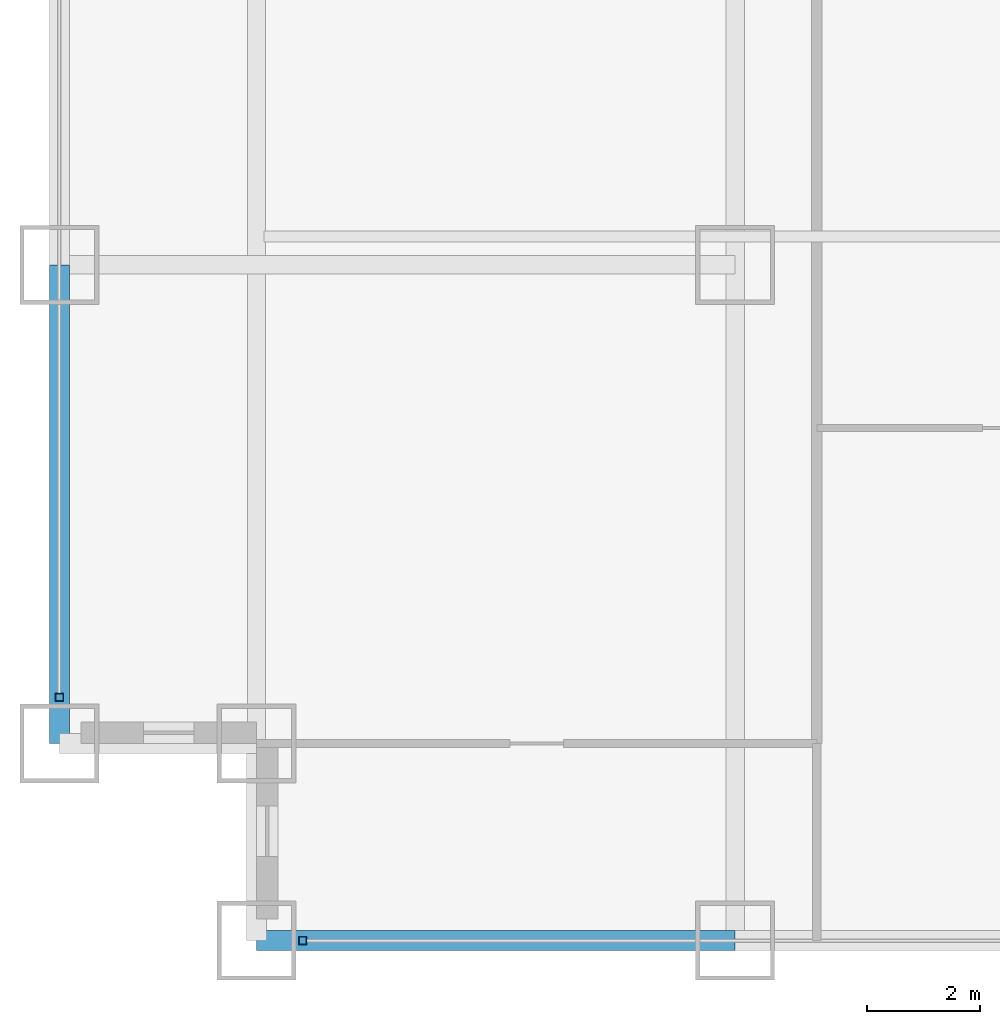
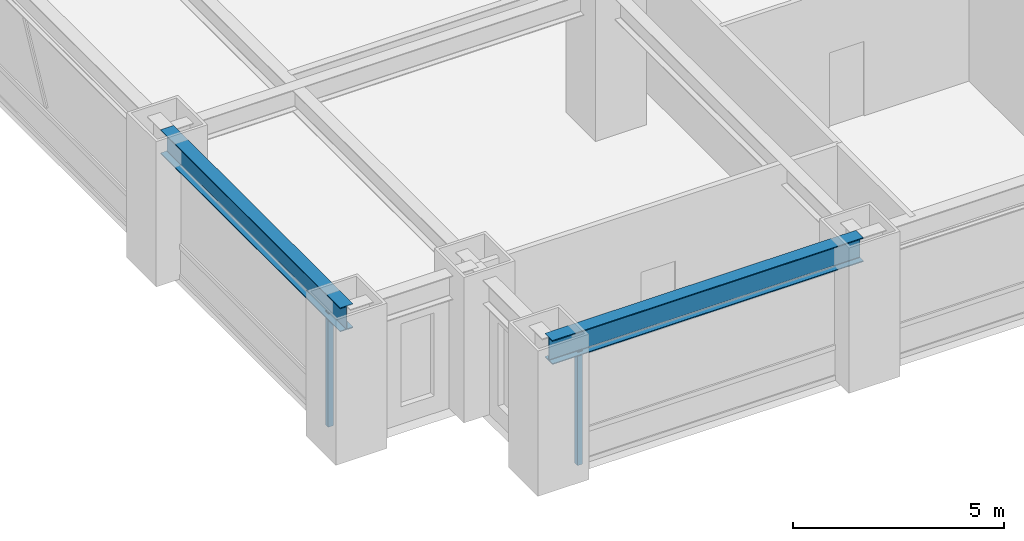
# One storey, part 2 of 28: 2 beams, 2 members, 2 elements without a shape of their own.
"""IFC4 building model written with IfcOpenShell, lengths in metres."""

from ifc_helpers import new_model, si_unit, direction, frame, origin, origin_2d, place, context, subcontext, project, spatial, hollow_rectangle, i_section, extrude, source, transform, mapped, material, material_profile, profile_set, type_object, element, aggregate, save


model = new_model("IFC4")

# Units and contexts
model_context = context("Model", 3, precision=1e-05, world=origin(), true_north=direction((0.0, 1.0)))
body_context = subcontext(model_context, "Body", "Model", "MODEL_VIEW")
ifc_project = project(units=[si_unit("LENGTHUNIT", "METRE"), si_unit("AREAUNIT", "SQUARE_METRE"), si_unit("VOLUMEUNIT", "CUBIC_METRE"), si_unit("PLANEANGLEUNIT", "RADIAN"), si_unit("MASSUNIT", "GRAM", prefix="KILO")], contexts=[model_context])

# Site, building, storey
site_placement = place(None, origin())
site = spatial("IfcSite", under=ifc_project, at=site_placement, CompositionType="ELEMENT")
building_placement = place(site_placement, origin())
building = spatial("IfcBuilding", under=site, at=building_placement, Name="Khorayat Bourse Tower", CompositionType="ELEMENT")
storey_placement = place(building_placement, frame((0.0, 0.0, 83.0)))
storey = spatial("IfcBuildingStorey", under=building, at=storey_placement, Name="L18", CompositionType="ELEMENT", Elevation=83.0)

# Beams
ifc_material_1 = material(Name="Steel ASTM A992 Grade 50", Category="steel")
ifc_material_profile_1 = material_profile(ifc_material_1, i_section(OverallWidth=0.35498046875, OverallDepth=0.695068359375, WebThickness=0.015380859375, FlangeThickness=0.02490234375, FilletRadius=0.01806640625, at=origin_2d()), Name="W690X217")
ifc_profile_set_1 = profile_set([ifc_material_profile_1], Name="Steel ASTM A992 Grade 50")
beam_type = type_object("IfcBeamType", Name="BM-SPAN-690", PredefinedType="SPANDREL", material=ifc_profile_set_1)
shared_shape_1 = source(origin(), body_context, "Body", "SweptSolid", [
    extrude(i_section(OverallWidth=0.35498046875, OverallDepth=0.695068359375, WebThickness=0.015380859375, FlangeThickness=0.02490234375, FilletRadius=0.01806640625, at=origin_2d()), origin(), (0.0, 0.0, 1.0), 8.5),
])
for number, where, z_axis, x_axis, name in (
    (1, (-28.5, -32.0, 3.592529296875), (1.0, 0.0, 0.0), (0.0, 1.0, 0.0), "L18 BM-SPAN-690 BM-L18-SPN-024"),
    (2, (-32.0, -28.5, 3.592529296875), (0.0, 1.0, 0.0), (-1.0, 0.0, 0.0), "L18 BM-SPAN-690 BM-L18-SPN-061"),
):
    element("IfcBeam", number, at=place(storey_placement, frame(where, z_axis=z_axis, x_axis=x_axis)), inside=storey, type_object=beam_type, Name=name, PredefinedType="SPANDREL", context=body_context, shape_type="MappedRepresentation", body=[
        mapped(shared_shape_1, transform((0.0, 0.0, 0.0), scale=1.0)),
    ])

# Curtain wall, member
ifc_material_2 = material(Name="Aluminium EN AW-6063 T6", Category="aluminium")
curtain_wall_type = type_object("IfcCurtainWallType", Name="CW-SYS-02", PredefinedType="NOTDEFINED", material=ifc_material_2)
curtain_wall_1_placement = place(storey_placement, origin())
curtain_wall_1 = element("IfcCurtainWall", 3, at=curtain_wall_1_placement, inside=storey, type_object=curtain_wall_type, Name="L18 Curtain Wall CW-L18-S1", PredefinedType="NOTDEFINED")
ifc_material_profile_2 = material_profile(ifc_material_2, hollow_rectangle(XDim=0.139892578125, YDim=0.139892578125, WallThickness=0.006103515625, at=origin_2d()), Name="ALU 140x140x6")
ifc_profile_set_2 = profile_set([ifc_material_profile_2], Name="Aluminium EN AW-6063 T6")
member_type = type_object("IfcMemberType", Name="CWM-VERT-140", PredefinedType="MULLION", material=ifc_profile_set_2)
shared_shape_2 = source(origin(), body_context, "Body", "SweptSolid", [
    extrude(hollow_rectangle(XDim=0.139892578125, YDim=0.139892578125, WallThickness=0.006103515625, at=origin_2d()), origin(), (0.0, 0.0, 1.0), 3.2900390625),
])
member_1_placement = place(storey_placement, frame((-27.679931640625, -32.0, 0.0), z_axis=(0.0, 0.0, 1.0), x_axis=(0.0, 1.0, 0.0)))
member_1 = element("IfcMember", 4, at=member_1_placement, type_object=member_type, Name="CW-L18-S1 Vertical Mullion 1", PredefinedType="MULLION", context=body_context, shape_type="MappedRepresentation", body=[
    mapped(shared_shape_2, transform((0.0, 0.0, 0.0), scale=1.0)),
])
aggregate(curtain_wall_1, [member_1])

curtain_wall_2_placement = place(storey_placement, origin())
curtain_wall_2 = element("IfcCurtainWall", 5, at=curtain_wall_2_placement, inside=storey, type_object=curtain_wall_type, Name="L18 Curtain Wall CW-L18-W1", PredefinedType="NOTDEFINED")
member_2_placement = place(storey_placement, frame((-32.0, -27.679931640625, 0.0), z_axis=(0.0, 0.0, 1.0), x_axis=(-1.0, 0.0, 0.0)))
member_2 = element("IfcMember", 6, at=member_2_placement, type_object=member_type, Name="CW-L18-W1 Vertical Mullion 1", PredefinedType="MULLION", context=body_context, shape_type="MappedRepresentation", body=[
    mapped(shared_shape_2, transform((0.0, 0.0, 0.0), scale=1.0)),
])
aggregate(curtain_wall_2, [member_2])

save(model, "model.ifc")
